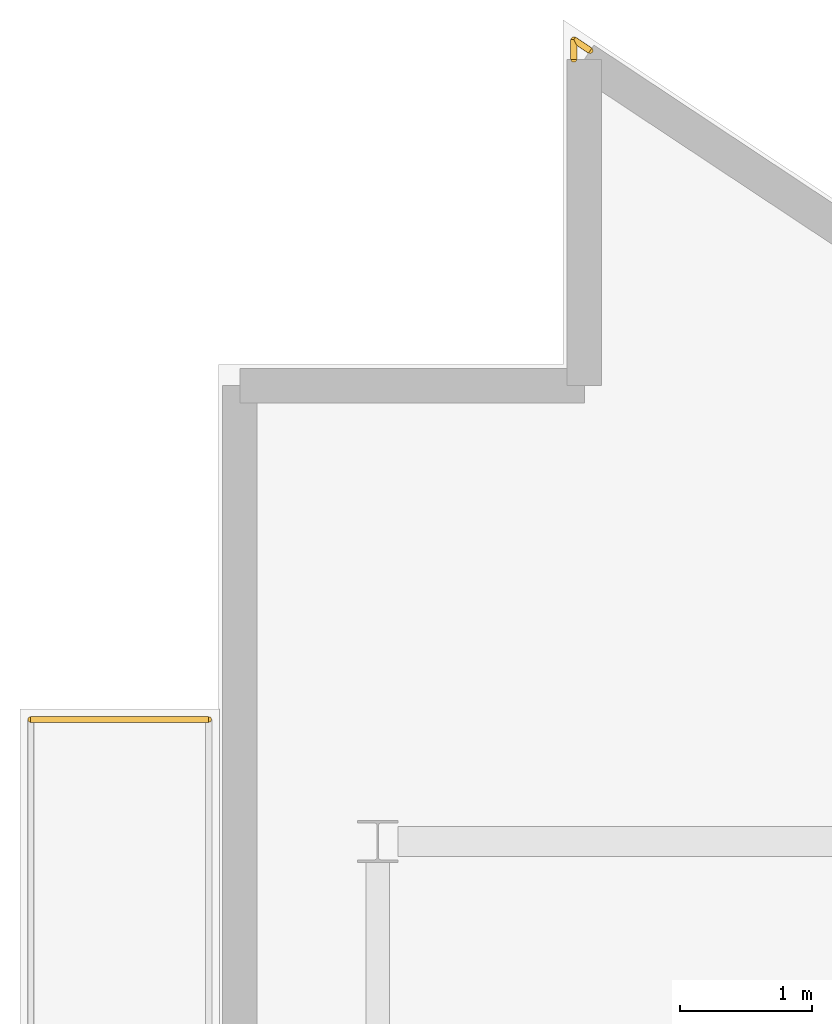
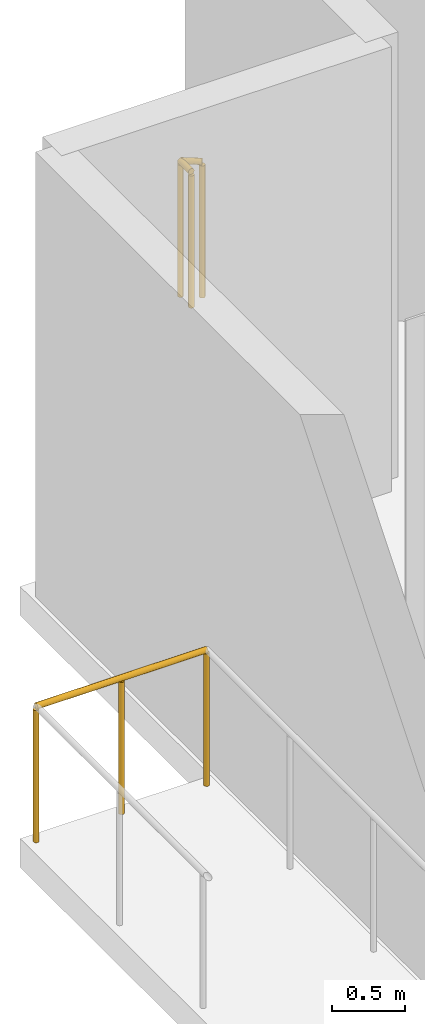
# One storey, part 18 of 19: 3 railings.
"""IFC4 building model written with IfcOpenShell, lengths in metres."""

from ifc_helpers import new_model, si_unit, direction, frame, origin, origin_2d, place, context, subcontext, project, spatial, circle, extrude, material, type_object, element, save


model = new_model("IFC4")

# Units and contexts
model_context = context("Model", 3, precision=1e-05, world=origin(), true_north=direction((0.0, 1.0)))
body_context = subcontext(model_context, "Body", "Model", "MODEL_VIEW")
ifc_project = project(units=[si_unit("LENGTHUNIT", "METRE"), si_unit("AREAUNIT", "SQUARE_METRE"), si_unit("VOLUMEUNIT", "CUBIC_METRE"), si_unit("PLANEANGLEUNIT", "RADIAN"), si_unit("MASSUNIT", "GRAM", prefix="KILO")], contexts=[model_context])

# Site, building, storey
site_placement = place(None, origin())
site = spatial("IfcSite", under=ifc_project, at=site_placement, CompositionType="ELEMENT")
building_placement = place(site_placement, origin())
building = spatial("IfcBuilding", under=site, at=building_placement, Name="Varnakote Quay Hospital", CompositionType="ELEMENT")
storey_placement = place(building_placement, frame((0.0, 0.0, 162.60009765625)))
storey = spatial("IfcBuildingStorey", under=building, at=storey_placement, Name="L40", CompositionType="ELEMENT", Elevation=162.60009765625)

# Railings
ifc_material = material(Name="Anodised aluminium 6063-T6 Bronze", Category="aluminium")
railing_type = type_object("IfcRailingType", Name="RLG-EXT-GUARD-1150", PredefinedType="GUARDRAIL", material=ifc_material)
railing_1_placement = place(storey_placement, frame((-1.419921875, 38.1201171875, 0.0)))
element("IfcRailing", 1, at=railing_1_placement, inside=storey, type_object=railing_type, Name="L40 Zigzag Prow Healing Terrace Safety Guard", PredefinedType="GUARDRAIL", context=body_context, shape_type="SweptSolid", body=[
    extrude(circle(Radius=0.02392578125, at=origin_2d()), frame((0.0, 0.0, 1.1259765625), z_axis=(1.0, 0.0, 0.0), x_axis=(0.0, 1.0, 0.0)), (0.0, 0.0, 1.0), 1.343994140625),
    extrude(circle(Radius=0.02099609375, at=origin_2d()), origin(), (0.0, 0.0, 1.0), 1.101806640625),
    extrude(circle(Radius=0.02099609375, at=origin_2d()), frame((0.671875, 0.0, 0.0)), (0.0, 0.0, 1.0), 1.101806640625),
    extrude(circle(Radius=0.02099609375, at=origin_2d()), frame((1.343994140625, 0.0, 0.0)), (0.0, 0.0, 1.0), 1.101806640625),
])
railing_2_placement = place(storey_placement, frame((2.679931640625, 43.10205078125, 0.0)))
element("IfcRailing", 2, at=railing_2_placement, inside=storey, type_object=railing_type, Name="L40 Slab Edge Perimeter Safety Guard", PredefinedType="GUARDRAIL", context=body_context, shape_type="SweptSolid", body=[
    extrude(circle(Radius=0.02392578125, at=origin_2d()), frame((0.0, 0.0, 1.1259765625), z_axis=(0.0, 1.0, 0.0), x_axis=(-1.0, 0.0, 0.0)), (0.0, 0.0, 1.0), 0.14892578125),
    extrude(circle(Radius=0.02099609375, at=origin_2d()), origin(), (0.0, 0.0, 1.0), 1.101806640625),
    extrude(circle(Radius=0.02099609375, at=origin_2d()), frame((0.0, 0.14892578125, 0.0)), (0.0, 0.0, 1.0), 1.101806640625),
])
railing_3_placement = place(storey_placement, frame((2.679931640625, 43.2509765625, 0.0)))
element("IfcRailing", 3, at=railing_3_placement, inside=storey, type_object=railing_type, Name="L40 Slab Edge Perimeter Safety Guard", PredefinedType="GUARDRAIL", context=body_context, shape_type="SweptSolid", body=[
    extrude(circle(Radius=0.02392578125, at=origin_2d()), frame((0.0, 0.0, 1.1259765625), z_axis=(0.833810230731, -0.552051174374, 0.0), x_axis=(0.552051174374, 0.833810230731, 0.0)), (0.0, 0.0, 1.0), 0.14892578125),
    extrude(circle(Radius=0.02099609375, at=origin_2d()), origin(), (0.0, 0.0, 1.0), 1.101806640625),
    extrude(circle(Radius=0.02099609375, at=origin_2d()), frame((0.124267578125, -0.082275390625, 0.0)), (0.0, 0.0, 1.0), 1.101806640625),
])

save(model, "model.ifc")
